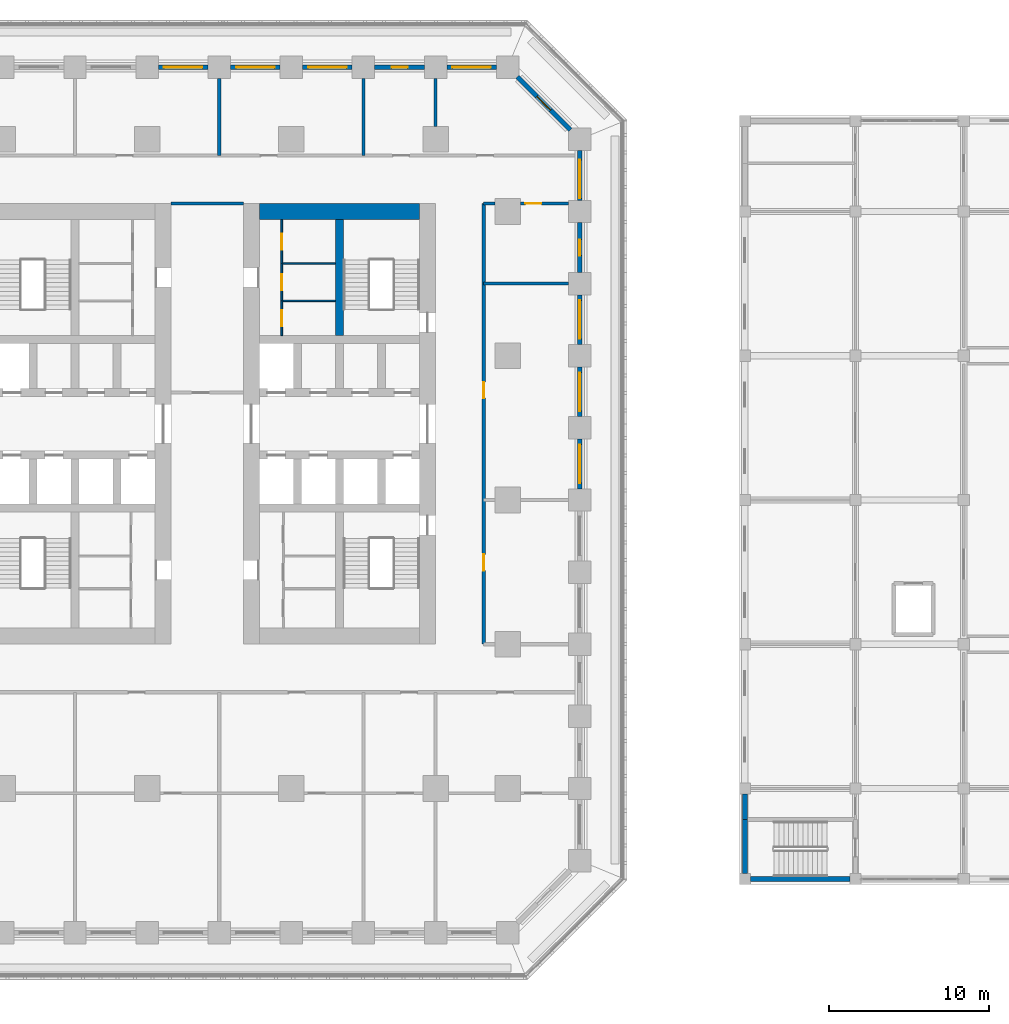
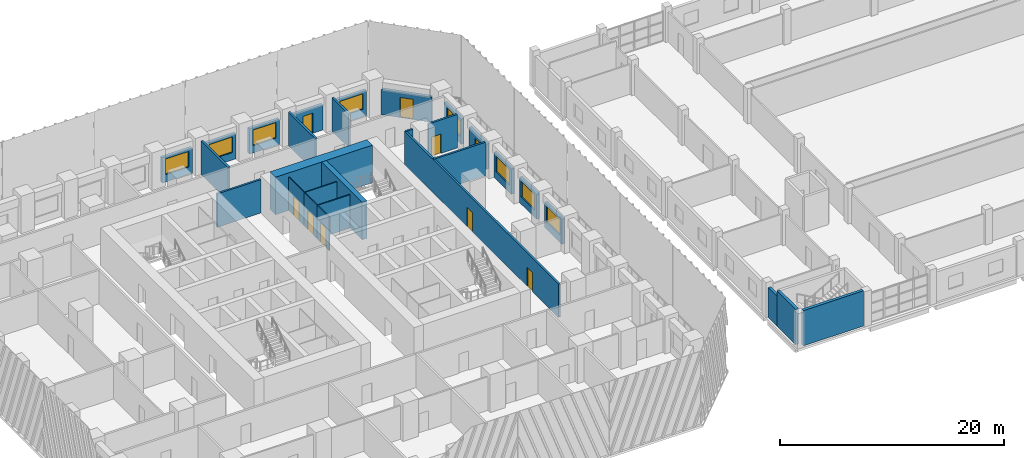
# One storey, part 16 of 31: 29 walls, 9 doors, 8 windows, 17 openings.
"""IFC4 building model written with IfcOpenShell, lengths in metres."""

from ifc_helpers import new_model, si_unit, direction, frame, frame_2d, origin, place, context, subcontext, project, spatial, rectangle, extrude, material, layer, layer_set, type_object, element, fill, save


model = new_model("IFC4")

# Units and contexts
model_context = context("Model", 3, precision=1e-05, world=origin(), true_north=direction((0.0, 1.0)))
body_context = subcontext(model_context, "Body", "Model", "MODEL_VIEW")
ifc_project = project(units=[si_unit("LENGTHUNIT", "METRE"), si_unit("AREAUNIT", "SQUARE_METRE"), si_unit("VOLUMEUNIT", "CUBIC_METRE"), si_unit("PLANEANGLEUNIT", "RADIAN"), si_unit("MASSUNIT", "GRAM", prefix="KILO")], contexts=[model_context])

# Site, building, storey
site_placement = place(None, origin())
site = spatial("IfcSite", under=ifc_project, at=site_placement, CompositionType="ELEMENT")
building_placement = place(site_placement, origin())
building = spatial("IfcBuilding", under=site, at=building_placement, Name="Corbel Stack Research Tower", CompositionType="ELEMENT")
storey_placement = place(building_placement, frame((0.0, 0.0, 15.39990234375)))
storey = spatial("IfcBuildingStorey", under=building, at=storey_placement, Name="L03", CompositionType="ELEMENT", Elevation=15.39990234375)

# Walls
ifc_material_1 = material(Name="Concrete C70/85", Category="concrete")
ifc_layer_1 = layer(ifc_material_1, 1.0)
ifc_layer_set_1 = layer_set([ifc_layer_1], Name="Concrete C70/85")
wall_type_1 = type_object("IfcWallType", Name="CW-1000-70", PredefinedType="SHEAR", material=ifc_layer_set_1)
wall_1_placement = place(storey_placement, frame((7.0, 18.0, 0.0), z_axis=(0.0, 0.0, 1.0), x_axis=(1.0, 0.0, 0.0)))
element("IfcWall", 1, at=wall_1_placement, inside=storey, type_object=wall_type_1, Name="East core wall, north end L03", PredefinedType="SHEAR", context=body_context, shape_type="SweptSolid", body=[
    extrude(rectangle(XDim=10.0, YDim=1.0, at=frame_2d((5.0, 0.0))), origin(), (0.0, 0.0, 1.0), 4.10009765625),
])
ifc_material_2 = material(Name="Concrete C70/85", Category="concrete")
ifc_layer_2 = layer(ifc_material_2, 0.5)
ifc_layer_set_2 = layer_set([ifc_layer_2], Name="Concrete C70/85")
wall_type_2 = type_object("IfcWallType", Name="CW-500-70", PredefinedType="SHEAR", material=ifc_layer_set_2)
wall_2_placement = place(storey_placement, frame((12.0, 10.25, 0.0), z_axis=(0.0, 0.0, 1.0), x_axis=(0.0, 1.0, 0.0)))
element("IfcWall", 2, at=wall_2_placement, inside=storey, type_object=wall_type_2, Name="East core wall, north stair and riser L03", PredefinedType="SHEAR", context=body_context, shape_type="SweptSolid", body=[
    extrude(rectangle(XDim=7.25, YDim=0.5, at=frame_2d((3.625, 0.0))), origin(), (0.0, 0.0, 1.0), 4.10009765625),
])

# Wall, opening, door
ifc_material_3 = material(Name="Gypsum board")
ifc_layer_3 = layer(ifc_material_3, 0.10009765625)
ifc_layer_set_3 = layer_set([ifc_layer_3], Name="Gypsum board")
wall_type_3 = type_object("IfcWallType", Name="Core partition 100", PredefinedType="PARTITIONING", material=ifc_layer_set_3)
wall_3_placement = place(storey_placement, frame((8.39990234375, 10.25, 0.0), z_axis=(0.0, 0.0, 1.0), x_axis=(0.0, 1.0, 0.0)))
wall_3 = element("IfcWall", 3, at=wall_3_placement, inside=storey, type_object=wall_type_3, Name="Core partition E", PredefinedType="PARTITIONING", context=body_context, shape_type="SweptSolid", body=[
    extrude(rectangle(XDim=2.175048828125, YDim=0.10009765625, at=frame_2d((1.08740234375, 0.0))), origin(), (0.0, 0.0, 1.0), 3.650146484375),
])
opening_1_placement = place(wall_3_placement, frame((0.58740234375, 0.0, 0.0)))
opening_1 = element("IfcOpeningElement", 4, at=opening_1_placement, cuts=wall_3, Name="Opening CR-E12-R2-1000", PredefinedType="OPENING", context=body_context, shape_type="SweptSolid", body=[
    extrude(rectangle(XDim=1.0, YDim=2.10009765625, at=frame_2d((0.5, 1.050048828125))), frame((0.0, 0.06005859375, 0.0), z_axis=(0.0, -1.0, 0.0), x_axis=(1.0, 0.0, 0.0)), (0.0, 0.0, 1.0), 0.1201171875),
])
ifc_material_4 = material(Name="Painted steel door", Category="steel")
door_type_1 = type_object("IfcDoorType", Name="Riser door 1000 x 2100 FD60 left hand", OperationType="SINGLE_SWING_LEFT", PredefinedType="DOOR", material=ifc_material_4)
door_1_placement = place(opening_1_placement, origin())
door_1 = element("IfcDoor", 5, at=door_1_placement, inside=storey, type_object=door_type_1, Name="Mechanical riser door E core", OperationType="SINGLE_SWING_LEFT", OverallHeight=2.10009765625, OverallWidth=1.0, PredefinedType="DOOR", context=body_context, shape_type="SweptSolid", body=[
    extrude(rectangle(XDim=1.0, YDim=2.10009765625, at=frame_2d((0.5, 1.050048828125))), frame((0.0, 0.02490234375, 0.0), z_axis=(0.0, -1.0, 0.0), x_axis=(1.0, 0.0, 0.0)), (0.0, 0.0, 1.0), 0.050048828125),
])
fill(opening_1, door_1)

wall_4_placement = place(storey_placement, frame((8.39990234375, 12.425048828125, 0.0), z_axis=(0.0, 0.0, 1.0), x_axis=(0.0, 1.0, 0.0)))
wall_4 = element("IfcWall", 6, at=wall_4_placement, inside=storey, type_object=wall_type_3, Name="Core partition E", PredefinedType="PARTITIONING", context=body_context, shape_type="SweptSolid", body=[
    extrude(rectangle(XDim=2.320068359375, YDim=0.10009765625, at=frame_2d((1.16015625, 0.0))), origin(), (0.0, 0.0, 1.0), 3.650146484375),
])
opening_2_placement = place(wall_4_placement, frame((0.659912109375, 0.0, 0.0)))
opening_2 = element("IfcOpeningElement", 7, at=opening_2_placement, cuts=wall_4, Name="Opening CR-E12-R3-1000", PredefinedType="OPENING", context=body_context, shape_type="SweptSolid", body=[
    extrude(rectangle(XDim=1.0, YDim=2.10009765625, at=frame_2d((0.5, 1.050048828125))), frame((0.0, 0.06005859375, 0.0), z_axis=(0.0, -1.0, 0.0), x_axis=(1.0, 0.0, 0.0)), (0.0, 0.0, 1.0), 0.1201171875),
])
ifc_material_5 = material(Name="Painted steel door", Category="steel")
door_type_2 = type_object("IfcDoorType", Name="Service door 1000 x 2100 FD30 right hand", OperationType="SINGLE_SWING_RIGHT", PredefinedType="DOOR", material=ifc_material_5)
door_2_placement = place(opening_2_placement, origin())
door_2 = element("IfcDoor", 8, at=door_2_placement, inside=storey, type_object=door_type_2, Name="Pantry door E core", OperationType="SINGLE_SWING_RIGHT", OverallHeight=2.10009765625, OverallWidth=1.0, PredefinedType="DOOR", context=body_context, shape_type="SweptSolid", body=[
    extrude(rectangle(XDim=1.0, YDim=2.10009765625, at=frame_2d((0.5, 1.050048828125))), frame((0.0, 0.02490234375, 0.0), z_axis=(0.0, -1.0, 0.0), x_axis=(1.0, 0.0, 0.0)), (0.0, 0.0, 1.0), 0.050048828125),
])
fill(opening_2, door_2)

wall_5_placement = place(storey_placement, frame((8.39990234375, 14.7451171875, 0.0), z_axis=(0.0, 0.0, 1.0), x_axis=(0.0, 1.0, 0.0)))
wall_5 = element("IfcWall", 9, at=wall_5_placement, inside=storey, type_object=wall_type_3, Name="Core partition E", PredefinedType="PARTITIONING", context=body_context, shape_type="SweptSolid", body=[
    extrude(rectangle(XDim=2.7548828125, YDim=0.10009765625, at=frame_2d((1.37744140625, 0.0))), origin(), (0.0, 0.0, 1.0), 3.650146484375),
])
opening_3_placement = place(wall_5_placement, frame((0.87744140625, 0.0, 0.0)))
opening_3 = element("IfcOpeningElement", 10, at=opening_3_placement, cuts=wall_5, Name="Opening CR-E12-R4-1000", PredefinedType="OPENING", context=body_context, shape_type="SweptSolid", body=[
    extrude(rectangle(XDim=1.0, YDim=2.10009765625, at=frame_2d((0.5, 1.050048828125))), frame((0.0, 0.06005859375, 0.0), z_axis=(0.0, -1.0, 0.0), x_axis=(1.0, 0.0, 0.0)), (0.0, 0.0, 1.0), 0.1201171875),
])
door_3_placement = place(opening_3_placement, origin())
door_3 = element("IfcDoor", 11, at=door_3_placement, inside=storey, type_object=door_type_1, Name="Electrical riser door E core", OperationType="SINGLE_SWING_LEFT", OverallHeight=2.10009765625, OverallWidth=1.0, PredefinedType="DOOR", context=body_context, shape_type="SweptSolid", body=[
    extrude(rectangle(XDim=1.0, YDim=2.10009765625, at=frame_2d((0.5, 1.050048828125))), frame((0.0, 0.02490234375, 0.0), z_axis=(0.0, -1.0, 0.0), x_axis=(1.0, 0.0, 0.0)), (0.0, 0.0, 1.0), 0.050048828125),
])
fill(opening_3, door_3)

# Walls
for number, where, z_axis, x_axis, name in (
    (12, (8.39990234375, 12.425048828125, 0.0), (0.0, 0.0, 1.0), (1.0, 0.0, 0.0), "Core partition E"),
    (13, (8.39990234375, 14.7451171875, 0.0), (0.0, 0.0, 1.0), (1.0, 0.0, 0.0), "Core partition E"),
):
    element("IfcWall", number, at=place(storey_placement, frame(where, z_axis=z_axis, x_axis=x_axis)), inside=storey, type_object=wall_type_3, Name=name, PredefinedType="PARTITIONING", context=body_context, shape_type="SweptSolid", body=[
        extrude(rectangle(XDim=3.35009765625, YDim=0.10009765625, at=frame_2d((1.675048828125, 0.0))), origin(), (0.0, 0.0, 1.0), 3.650146484375),
    ])
ifc_material_6 = material(Name="Fire-rated gypsum board partition on steel studs", Category="steel")
ifc_layer_4 = layer(ifc_material_6, 0.199951171875)
ifc_layer_set_4 = layer_set([ifc_layer_4], Name="Fire-rated gypsum board partition on steel studs")
wall_type_4 = type_object("IfcWallType", Name="Fire-rated partition 200 EI 60", PredefinedType="PARTITIONING", material=ifc_layer_set_4)
for number, where, z_axis, x_axis, name in (
    (14, (4.5, 21.5, 0.0), (0.0, 0.0, 1.0), (0.0, 1.0, 0.0), "Partition L03-009"),
    (15, (13.5, 21.5, 0.0), (0.0, 0.0, 1.0), (0.0, 1.0, 0.0), "Partition L03-011"),
):
    element("IfcWall", number, at=place(storey_placement, frame(where, z_axis=z_axis, x_axis=x_axis)), inside=storey, type_object=wall_type_4, Name=name, PredefinedType="PARTITIONING", context=body_context, shape_type="SweptSolid", body=[
        extrude(rectangle(XDim=4.800048828125, YDim=0.199951171875, at=frame_2d((2.39990234375, 0.0))), origin(), (0.0, 0.0, 1.0), 3.650146484375),
    ])
wall_6_placement = place(storey_placement, frame((18.0, 23.300048828125, 0.0), z_axis=(0.0, 0.0, 1.0), x_axis=(0.0, 1.0, 0.0)))
element("IfcWall", 16, at=wall_6_placement, inside=storey, type_object=wall_type_4, Name="Partition L03-014", PredefinedType="PARTITIONING", context=body_context, shape_type="SweptSolid", body=[
    extrude(rectangle(XDim=3.0, YDim=0.199951171875, at=frame_2d((1.5, 0.0))), origin(), (0.0, 0.0, 1.0), 3.650146484375),
])

# Wall, openings, doors
wall_7_placement = place(storey_placement, frame((21.0, 18.5, 0.0), z_axis=(0.0, 0.0, 1.0), x_axis=(0.0, -1.0, 0.0)))
wall_7 = element("IfcWall", 17, at=wall_7_placement, inside=storey, type_object=wall_type_4, Name="Partition L03-015", PredefinedType="PARTITIONING", context=body_context, shape_type="SweptSolid", body=[
    extrude(rectangle(XDim=27.5, YDim=0.199951171875, at=frame_2d((13.75, 0.0))), origin(), (0.0, 0.0, 1.0), 3.650146484375),
])
opening_4_placement = place(wall_7_placement, frame((21.89990234375, 0.0, 0.0)))
opening_4 = element("IfcOpeningElement", 18, at=opening_4_placement, cuts=wall_7, Name="Opening B1V0-021", PredefinedType="OPENING", context=body_context, shape_type="SweptSolid", body=[
    extrude(rectangle(XDim=1.0, YDim=2.10009765625, at=frame_2d((0.5, 1.050048828125))), frame((0.0, 0.10986328125, 0.0), z_axis=(0.0, -1.0, 0.0), x_axis=(1.0, 0.0, 0.0)), (0.0, 0.0, 1.0), 0.219970703125),
])
opening_5_placement = place(wall_7_placement, frame((11.14990234375, 0.0, 0.0)))
opening_5 = element("IfcOpeningElement", 19, at=opening_5_placement, cuts=wall_7, Name="Opening B1V0-022", PredefinedType="OPENING", context=body_context, shape_type="SweptSolid", body=[
    extrude(rectangle(XDim=1.0, YDim=2.10009765625, at=frame_2d((0.5, 1.050048828125))), frame((0.0, 0.10986328125, 0.0), z_axis=(0.0, -1.0, 0.0), x_axis=(1.0, 0.0, 0.0)), (0.0, 0.0, 1.0), 0.219970703125),
])
ifc_material_7 = material(Name="Painted steel fire door", Category="steel")
door_type_3 = type_object("IfcDoorType", Name="Fire door FD30S 1000 x 2100", OperationType="NOTDEFINED", PredefinedType="DOOR", material=ifc_material_7)
door_4_placement = place(opening_4_placement, origin())
door_4 = element("IfcDoor", 20, at=door_4_placement, inside=storey, type_object=door_type_3, Name="Door B1V0-021", OperationType="SINGLE_SWING_RIGHT", OverallHeight=2.10009765625, OverallWidth=1.0, PredefinedType="DOOR", context=body_context, shape_type="SweptSolid", body=[
    extrude(rectangle(XDim=1.0, YDim=2.10009765625, at=frame_2d((0.5, 1.050048828125))), frame((0.0, 0.02490234375, 0.0), z_axis=(0.0, -1.0, 0.0), x_axis=(1.0, 0.0, 0.0)), (0.0, 0.0, 1.0), 0.050048828125),
])
fill(opening_4, door_4)
door_5_placement = place(opening_5_placement, origin())
door_5 = element("IfcDoor", 21, at=door_5_placement, inside=storey, type_object=door_type_3, Name="Door B1V0-022", OperationType="SINGLE_SWING_LEFT", OverallHeight=2.10009765625, OverallWidth=1.0, PredefinedType="DOOR", context=body_context, shape_type="SweptSolid", body=[
    extrude(rectangle(XDim=1.0, YDim=2.10009765625, at=frame_2d((0.5, 1.050048828125))), frame((0.0, 0.02490234375, 0.0), z_axis=(0.0, -1.0, 0.0), x_axis=(1.0, 0.0, 0.0)), (0.0, 0.0, 1.0), 0.050048828125),
])
fill(opening_5, door_5)

# Walls
wall_8_placement = place(storey_placement, frame((21.0, 13.5, 0.0), z_axis=(0.0, 0.0, 1.0), x_axis=(1.0, 0.0, 0.0)))
element("IfcWall", 22, at=wall_8_placement, inside=storey, type_object=wall_type_4, Name="Partition L03-034", PredefinedType="PARTITIONING", context=body_context, shape_type="SweptSolid", body=[
    extrude(rectangle(XDim=5.300048828125, YDim=0.199951171875, at=frame_2d((2.64990234375, 0.0))), origin(), (0.0, 0.0, 1.0), 3.650146484375),
])
wall_9_placement = place(storey_placement, frame((1.5, 18.5, 0.0), z_axis=(0.0, 0.0, 1.0), x_axis=(1.0, 0.0, 0.0)))
element("IfcWall", 23, at=wall_9_placement, inside=storey, type_object=wall_type_4, Name="Partition L03-037", PredefinedType="PARTITIONING", context=body_context, shape_type="SweptSolid", body=[
    extrude(rectangle(XDim=4.5, YDim=0.199951171875, at=frame_2d((2.25, 0.0))), origin(), (0.0, 0.0, 1.0), 3.650146484375),
])
wall_10_placement = place(storey_placement, frame((21.0, 18.5, 0.0), z_axis=(0.0, 0.0, 1.0), x_axis=(1.0, 0.0, 0.0)))
element("IfcWall", 24, at=wall_10_placement, inside=storey, type_object=wall_type_4, Name="Partition L03-038", PredefinedType="PARTITIONING", context=body_context, shape_type="SweptSolid", body=[
    extrude(rectangle(XDim=0.699951171875, YDim=0.199951171875, at=frame_2d((0.35009765625, 0.0))), origin(), (0.0, 0.0, 1.0), 3.650146484375),
])

# Wall, opening, door
wall_11_placement = place(storey_placement, frame((26.300048828125, 18.5, 0.0), z_axis=(0.0, 0.0, 1.0), x_axis=(-1.0, 0.0, 0.0)))
wall_11 = element("IfcWall", 25, at=wall_11_placement, inside=storey, type_object=wall_type_4, Name="Partition L03-039", PredefinedType="PARTITIONING", context=body_context, shape_type="SweptSolid", body=[
    extrude(rectangle(XDim=3.0, YDim=0.199951171875, at=frame_2d((1.5, 0.0))), origin(), (0.0, 0.0, 1.0), 3.650146484375),
])
opening_6_placement = place(wall_11_placement, frame((1.699951171875, 0.0, 0.0)))
opening_6 = element("IfcOpeningElement", 26, at=opening_6_placement, cuts=wall_11, Name="Opening B1V0-020", PredefinedType="OPENING", context=body_context, shape_type="SweptSolid", body=[
    extrude(rectangle(XDim=1.0, YDim=2.10009765625, at=frame_2d((0.5, 1.050048828125))), frame((0.0, 0.10986328125, 0.0), z_axis=(0.0, -1.0, 0.0), x_axis=(1.0, 0.0, 0.0)), (0.0, 0.0, 1.0), 0.219970703125),
])
door_6_placement = place(opening_6_placement, origin())
door_6 = element("IfcDoor", 27, at=door_6_placement, inside=storey, type_object=door_type_3, Name="Door B1V0-020", OperationType="SINGLE_SWING_RIGHT", OverallHeight=2.10009765625, OverallWidth=1.0, PredefinedType="DOOR", context=body_context, shape_type="SweptSolid", body=[
    extrude(rectangle(XDim=1.0, YDim=2.10009765625, at=frame_2d((0.5, 1.050048828125))), frame((0.0, 0.02490234375, 0.0), z_axis=(0.0, -1.0, 0.0), x_axis=(1.0, 0.0, 0.0)), (0.0, 0.0, 1.0), 0.050048828125),
])
fill(opening_6, door_6)

# Walls
ifc_material_8 = material(Name="Concrete C40/50", Category="concrete")
ifc_layer_5 = layer(ifc_material_8, 0.300048828125)
ifc_layer_set_5 = layer_set([ifc_layer_5], Name="Concrete C40/50")
wall_type_5 = type_object("IfcWallType", Name="HW1 exterior wall 300", PredefinedType="SOLIDWALL", material=ifc_layer_set_5)
wall_12_placement = place(storey_placement, frame((37.300048828125, -19.925048828125, 0.0), z_axis=(0.0, 0.0, 1.0), x_axis=(0.0, 1.0, 0.0)))
element("IfcWall", 28, at=wall_12_placement, inside=storey, type_object=wall_type_5, Name="Exterior wall L03 v37.30/-19.9", PredefinedType="SOLIDWALL", context=body_context, shape_type="SweptSolid", body=[
    extrude(rectangle(XDim=1.574951171875, YDim=0.300048828125, at=frame_2d((0.78759765625, 0.0))), origin(), (0.0, 0.0, 1.0), 3.25),
])
ifc_material_9 = material(Name="Concrete C40/50", Category="concrete")
ifc_layer_6 = layer(ifc_material_9, 0.300048828125)
ifc_layer_set_6 = layer_set([ifc_layer_6], Name="Concrete C40/50")
wall_type_6 = type_object("IfcWallType", Name="HW6 exterior wall C40/50 300", PredefinedType="SHEAR", material=ifc_layer_set_6)
wall_13_placement = place(storey_placement, frame((37.64990234375, -23.64990234375, 0.0), z_axis=(0.0, 0.0, 1.0), x_axis=(1.0, 0.0, 0.0)))
element("IfcWall", 29, at=wall_13_placement, inside=storey, type_object=wall_type_6, Name="Exterior wall L03 h-23.65/37.6", PredefinedType="SHEAR", context=body_context, shape_type="SweptSolid", body=[
    extrude(rectangle(XDim=6.2001953125, YDim=0.300048828125, at=frame_2d((3.10009765625, 0.0))), origin(), (0.0, 0.0, 1.0), 3.85009765625),
])
wall_14_placement = place(storey_placement, frame((37.300048828125, -23.300048828125, 0.0), z_axis=(0.0, 0.0, 1.0), x_axis=(0.0, 1.0, 0.0)))
element("IfcWall", 30, at=wall_14_placement, inside=storey, type_object=wall_type_6, Name="Exterior wall L03 v37.30/-23.3", PredefinedType="SHEAR", context=body_context, shape_type="SweptSolid", body=[
    extrude(rectangle(XDim=3.375, YDim=0.300048828125, at=frame_2d((1.6875, 0.0))), origin(), (0.0, 0.0, 1.0), 3.85009765625),
])

# Wall, opening, window
ifc_material_10 = material(Name="Concrete C45/55", Category="concrete")
ifc_layer_7 = layer(ifc_material_10, 0.300048828125)
ifc_layer_set_7 = layer_set([ifc_layer_7], Name="Concrete C45/55")
wall_type_7 = type_object("IfcWallType", Name="Terracotta-faced concrete wall 300", PredefinedType="SOLIDWALL", material=ifc_layer_set_7)
wall_15_placement = place(storey_placement, frame((27.0, 3.800048828125, 0.0), z_axis=(0.0, 0.0, 1.0), x_axis=(0.0, -1.0, 0.0)))
wall_15 = element("IfcWall", 31, at=wall_15_placement, inside=storey, type_object=wall_type_7, Name="Facade wall L03 E06", PredefinedType="SOLIDWALL", context=body_context, shape_type="SweptSolid", body=[
    extrude(rectangle(XDim=3.10009765625, YDim=0.300048828125, at=frame_2d((1.550048828125, 0.0))), origin(), (0.0, 0.0, 1.0), 2.75),
])
opening_7_placement = place(wall_15_placement, frame((0.35009765625, 0.0, 0.800048828125)))
opening_7 = element("IfcOpeningElement", 32, at=opening_7_placement, cuts=wall_15, Name="Opening W1", PredefinedType="OPENING", context=body_context, shape_type="SweptSolid", body=[
    extrude(rectangle(XDim=2.39990234375, YDim=1.699951171875, at=frame_2d((1.199951171875, 0.85009765625))), frame((0.0, 0.159912109375, 0.0), z_axis=(0.0, -1.0, 0.0), x_axis=(1.0, 0.0, 0.0)), (0.0, 0.0, 1.0), 0.320068359375),
])
ifc_material_11 = material(Name="Aluminium frame, clear double glazing", Category="aluminium")
window_type = type_object("IfcWindowType", Name="Window W1 2400 x 1700", PartitioningType="SINGLE_PANEL", PredefinedType="WINDOW", material=ifc_material_11)
window_1_placement = place(opening_7_placement, origin())
window_1 = element("IfcWindow", 33, at=window_1_placement, inside=storey, type_object=window_type, Name="Window W1 L03 E06", OverallHeight=1.699951171875, OverallWidth=2.39990234375, PartitioningType="SINGLE_PANEL", PredefinedType="WINDOW", context=body_context, shape_type="SweptSolid", body=[
    extrude(rectangle(XDim=2.39990234375, YDim=1.699951171875, at=frame_2d((1.199951171875, 0.85009765625))), frame((0.0, 0.030029296875, 0.0), z_axis=(0.0, -1.0, 0.0), x_axis=(1.0, 0.0, 0.0)), (0.0, 0.0, 1.0), 0.06005859375),
])
fill(opening_7, window_1)

wall_16_placement = place(storey_placement, frame((27.0, 8.300048828125, 0.0), z_axis=(0.0, 0.0, 1.0), x_axis=(0.0, -1.0, 0.0)))
wall_16 = element("IfcWall", 34, at=wall_16_placement, inside=storey, type_object=wall_type_7, Name="Facade wall L03 E07", PredefinedType="SOLIDWALL", context=body_context, shape_type="SweptSolid", body=[
    extrude(rectangle(XDim=3.10009765625, YDim=0.300048828125, at=frame_2d((1.550048828125, 0.0))), origin(), (0.0, 0.0, 1.0), 2.75),
])
opening_8_placement = place(wall_16_placement, frame((0.35009765625, 0.0, 0.800048828125)))
opening_8 = element("IfcOpeningElement", 35, at=opening_8_placement, cuts=wall_16, Name="Opening W1", PredefinedType="OPENING", context=body_context, shape_type="SweptSolid", body=[
    extrude(rectangle(XDim=2.39990234375, YDim=1.699951171875, at=frame_2d((1.199951171875, 0.85009765625))), frame((0.0, 0.159912109375, 0.0), z_axis=(0.0, -1.0, 0.0), x_axis=(1.0, 0.0, 0.0)), (0.0, 0.0, 1.0), 0.320068359375),
])
window_2_placement = place(opening_8_placement, origin())
window_2 = element("IfcWindow", 36, at=window_2_placement, inside=storey, type_object=window_type, Name="Window W1 L03 E07", OverallHeight=1.699951171875, OverallWidth=2.39990234375, PartitioningType="SINGLE_PANEL", PredefinedType="WINDOW", context=body_context, shape_type="SweptSolid", body=[
    extrude(rectangle(XDim=2.39990234375, YDim=1.699951171875, at=frame_2d((1.199951171875, 0.85009765625))), frame((0.0, 0.030029296875, 0.0), z_axis=(0.0, -1.0, 0.0), x_axis=(1.0, 0.0, 0.0)), (0.0, 0.0, 1.0), 0.06005859375),
])
fill(opening_8, window_2)

wall_17_placement = place(storey_placement, frame((27.0, 12.800048828125, 0.0), z_axis=(0.0, 0.0, 1.0), x_axis=(0.0, -1.0, 0.0)))
wall_17 = element("IfcWall", 37, at=wall_17_placement, inside=storey, type_object=wall_type_7, Name="Facade wall L03 E08", PredefinedType="SOLIDWALL", context=body_context, shape_type="SweptSolid", body=[
    extrude(rectangle(XDim=3.10009765625, YDim=0.300048828125, at=frame_2d((1.550048828125, 0.0))), origin(), (0.0, 0.0, 1.0), 2.75),
])
opening_9_placement = place(wall_17_placement, frame((0.35009765625, 0.0, 0.800048828125)))
opening_9 = element("IfcOpeningElement", 38, at=opening_9_placement, cuts=wall_17, Name="Opening W1", PredefinedType="OPENING", context=body_context, shape_type="SweptSolid", body=[
    extrude(rectangle(XDim=2.39990234375, YDim=1.699951171875, at=frame_2d((1.199951171875, 0.85009765625))), frame((0.0, 0.159912109375, 0.0), z_axis=(0.0, -1.0, 0.0), x_axis=(1.0, 0.0, 0.0)), (0.0, 0.0, 1.0), 0.320068359375),
])
window_3_placement = place(opening_9_placement, origin())
window_3 = element("IfcWindow", 39, at=window_3_placement, inside=storey, type_object=window_type, Name="Window W1 L03 E08", OverallHeight=1.699951171875, OverallWidth=2.39990234375, PartitioningType="SINGLE_PANEL", PredefinedType="WINDOW", context=body_context, shape_type="SweptSolid", body=[
    extrude(rectangle(XDim=2.39990234375, YDim=1.699951171875, at=frame_2d((1.199951171875, 0.85009765625))), frame((0.0, 0.030029296875, 0.0), z_axis=(0.0, -1.0, 0.0), x_axis=(1.0, 0.0, 0.0)), (0.0, 0.0, 1.0), 0.06005859375),
])
fill(opening_9, window_3)

# Wall, opening, door
wall_18_placement = place(storey_placement, frame((27.0, 17.300048828125, 0.0), z_axis=(0.0, 0.0, 1.0), x_axis=(0.0, -1.0, 0.0)))
wall_18 = element("IfcWall", 40, at=wall_18_placement, inside=storey, type_object=wall_type_7, Name="Facade wall L03 E09", PredefinedType="SOLIDWALL", context=body_context, shape_type="SweptSolid", body=[
    extrude(rectangle(XDim=3.10009765625, YDim=0.300048828125, at=frame_2d((1.550048828125, 0.0))), origin(), (0.0, 0.0, 1.0), 2.75),
])
opening_10_placement = place(wall_18_placement, frame((1.050048828125, 0.0, 0.0)))
opening_10 = element("IfcOpeningElement", 41, at=opening_10_placement, cuts=wall_18, Name="Opening L03-B05", PredefinedType="OPENING", context=body_context, shape_type="SweptSolid", body=[
    extrude(rectangle(XDim=1.0, YDim=2.199951171875, at=frame_2d((0.5, 1.10009765625))), frame((0.0, 0.159912109375, 0.0), z_axis=(0.0, -1.0, 0.0), x_axis=(1.0, 0.0, 0.0)), (0.0, 0.0, 1.0), 0.320068359375),
])
ifc_material_12 = material(Name="Aluminium frame, clear double glazing", Category="aluminium")
door_type_4 = type_object("IfcDoorType", Name="Balcony door BD1 1000 x 2200", OperationType="NOTDEFINED", PredefinedType="DOOR", material=ifc_material_12)
door_7_placement = place(opening_10_placement, origin())
door_7 = element("IfcDoor", 42, at=door_7_placement, inside=storey, type_object=door_type_4, Name="Balcony door L03-B05", OperationType="SINGLE_SWING_RIGHT", OverallHeight=2.199951171875, OverallWidth=1.0, PredefinedType="DOOR", context=body_context, shape_type="SweptSolid", body=[
    extrude(rectangle(XDim=1.0, YDim=2.199951171875, at=frame_2d((0.5, 1.10009765625))), frame((0.0, 0.02490234375, 0.0), z_axis=(0.0, -1.0, 0.0), x_axis=(1.0, 0.0, 0.0)), (0.0, 0.0, 1.0), 0.050048828125),
])
fill(opening_10, door_7)

# Wall, opening, window
wall_19_placement = place(storey_placement, frame((27.0, 21.800048828125, 0.0), z_axis=(0.0, 0.0, 1.0), x_axis=(0.0, -1.0, 0.0)))
wall_19 = element("IfcWall", 43, at=wall_19_placement, inside=storey, type_object=wall_type_7, Name="Facade wall L03 E10", PredefinedType="SOLIDWALL", context=body_context, shape_type="SweptSolid", body=[
    extrude(rectangle(XDim=3.10009765625, YDim=0.300048828125, at=frame_2d((1.550048828125, 0.0))), origin(), (0.0, 0.0, 1.0), 2.75),
])
opening_11_placement = place(wall_19_placement, frame((0.574951171875, 0.0, 0.800048828125)))
opening_11 = element("IfcOpeningElement", 44, at=opening_11_placement, cuts=wall_19, Name="Opening W1", PredefinedType="OPENING", context=body_context, shape_type="SweptSolid", body=[
    extrude(rectangle(XDim=2.39990234375, YDim=1.699951171875, at=frame_2d((1.199951171875, 0.85009765625))), frame((0.0, 0.159912109375, 0.0), z_axis=(0.0, -1.0, 0.0), x_axis=(1.0, 0.0, 0.0)), (0.0, 0.0, 1.0), 0.320068359375),
])
window_4_placement = place(opening_11_placement, origin())
window_4 = element("IfcWindow", 45, at=window_4_placement, inside=storey, type_object=window_type, Name="Window W1 L03 E10", OverallHeight=1.699951171875, OverallWidth=2.39990234375, PartitioningType="SINGLE_PANEL", PredefinedType="WINDOW", context=body_context, shape_type="SweptSolid", body=[
    extrude(rectangle(XDim=2.39990234375, YDim=1.699951171875, at=frame_2d((1.199951171875, 0.85009765625))), frame((0.0, 0.030029296875, 0.0), z_axis=(0.0, -1.0, 0.0), x_axis=(1.0, 0.0, 0.0)), (0.0, 0.0, 1.0), 0.06005859375),
])
fill(opening_11, window_4)

# Wall, opening, door
wall_20_placement = place(storey_placement, frame((23.093994140625, 26.406005859375, 0.0), z_axis=(0.0, 0.0, 1.0), x_axis=(0.707106781187, -0.707106781187, 0.0)))
wall_20 = element("IfcWall", 46, at=wall_20_placement, inside=storey, type_object=wall_type_7, Name="Facade wall L03 NE01", PredefinedType="SOLIDWALL", context=body_context, shape_type="SweptSolid", body=[
    extrude(rectangle(XDim=4.683837890625, YDim=0.300048828125, at=frame_2d((2.341796875, 0.0))), origin(), (0.0, 0.0, 1.0), 2.75),
])
opening_12_placement = place(wall_20_placement, frame((1.741943359375, 0.0, 0.0)))
opening_12 = element("IfcOpeningElement", 47, at=opening_12_placement, cuts=wall_20, Name="Opening L03-B06", PredefinedType="OPENING", context=body_context, shape_type="SweptSolid", body=[
    extrude(rectangle(XDim=1.199951171875, YDim=2.199951171875, at=frame_2d((0.60009765625, 1.10009765625))), frame((0.0, 0.159912109375, 0.0), z_axis=(0.0, -1.0, 0.0), x_axis=(1.0, 0.0, 0.0)), (0.0, 0.0, 1.0), 0.320068359375),
])
ifc_material_13 = material(Name="Aluminium frame, clear double glazing", Category="aluminium")
door_type_5 = type_object("IfcDoorType", Name="Balcony door BD2 1200 x 2200", OperationType="NOTDEFINED", PredefinedType="DOOR", material=ifc_material_13)
door_8_placement = place(opening_12_placement, origin())
door_8 = element("IfcDoor", 48, at=door_8_placement, inside=storey, type_object=door_type_5, Name="Balcony door L03-B06", OperationType="SINGLE_SWING_RIGHT", OverallHeight=2.199951171875, OverallWidth=1.199951171875, PredefinedType="DOOR", context=body_context, shape_type="SweptSolid", body=[
    extrude(rectangle(XDim=1.199951171875, YDim=2.199951171875, at=frame_2d((0.60009765625, 1.10009765625))), frame((0.0, 0.02490234375, 0.0), z_axis=(0.0, -1.0, 0.0), x_axis=(1.0, 0.0, 0.0)), (0.0, 0.0, 1.0), 0.050048828125),
])
fill(opening_12, door_8)

# Wall, opening, window
wall_21_placement = place(storey_placement, frame((18.699951171875, 27.0, 0.0), z_axis=(0.0, 0.0, 1.0), x_axis=(1.0, 0.0, 0.0)))
wall_21 = element("IfcWall", 49, at=wall_21_placement, inside=storey, type_object=wall_type_7, Name="Facade wall L03 N01", PredefinedType="SOLIDWALL", context=body_context, shape_type="SweptSolid", body=[
    extrude(rectangle(XDim=3.10009765625, YDim=0.300048828125, at=frame_2d((1.550048828125, 0.0))), origin(), (0.0, 0.0, 1.0), 2.75),
])
opening_13_placement = place(wall_21_placement, frame((0.35009765625, 0.0, 0.800048828125)))
opening_13 = element("IfcOpeningElement", 50, at=opening_13_placement, cuts=wall_21, Name="Opening W1", PredefinedType="OPENING", context=body_context, shape_type="SweptSolid", body=[
    extrude(rectangle(XDim=2.39990234375, YDim=1.699951171875, at=frame_2d((1.199951171875, 0.85009765625))), frame((0.0, 0.159912109375, 0.0), z_axis=(0.0, -1.0, 0.0), x_axis=(1.0, 0.0, 0.0)), (0.0, 0.0, 1.0), 0.320068359375),
])
window_5_placement = place(opening_13_placement, origin())
window_5 = element("IfcWindow", 51, at=window_5_placement, inside=storey, type_object=window_type, Name="Window W1 L03 N01", OverallHeight=1.699951171875, OverallWidth=2.39990234375, PartitioningType="SINGLE_PANEL", PredefinedType="WINDOW", context=body_context, shape_type="SweptSolid", body=[
    extrude(rectangle(XDim=2.39990234375, YDim=1.699951171875, at=frame_2d((1.199951171875, 0.85009765625))), frame((0.0, 0.030029296875, 0.0), z_axis=(0.0, -1.0, 0.0), x_axis=(1.0, 0.0, 0.0)), (0.0, 0.0, 1.0), 0.06005859375),
])
fill(opening_13, window_5)

# Wall, opening, door
wall_22_placement = place(storey_placement, frame((14.199951171875, 27.0, 0.0), z_axis=(0.0, 0.0, 1.0), x_axis=(1.0, 0.0, 0.0)))
wall_22 = element("IfcWall", 52, at=wall_22_placement, inside=storey, type_object=wall_type_7, Name="Facade wall L03 N02", PredefinedType="SOLIDWALL", context=body_context, shape_type="SweptSolid", body=[
    extrude(rectangle(XDim=3.10009765625, YDim=0.300048828125, at=frame_2d((1.550048828125, 0.0))), origin(), (0.0, 0.0, 1.0), 2.75),
])
opening_14_placement = place(wall_22_placement, frame((1.050048828125, 0.0, 0.0)))
opening_14 = element("IfcOpeningElement", 53, at=opening_14_placement, cuts=wall_22, Name="Opening L03-B07", PredefinedType="OPENING", context=body_context, shape_type="SweptSolid", body=[
    extrude(rectangle(XDim=1.0, YDim=2.199951171875, at=frame_2d((0.5, 1.10009765625))), frame((0.0, 0.159912109375, 0.0), z_axis=(0.0, -1.0, 0.0), x_axis=(1.0, 0.0, 0.0)), (0.0, 0.0, 1.0), 0.320068359375),
])
door_9_placement = place(opening_14_placement, origin())
door_9 = element("IfcDoor", 54, at=door_9_placement, inside=storey, type_object=door_type_4, Name="Balcony door L03-B07", OperationType="SINGLE_SWING_LEFT", OverallHeight=2.199951171875, OverallWidth=1.0, PredefinedType="DOOR", context=body_context, shape_type="SweptSolid", body=[
    extrude(rectangle(XDim=1.0, YDim=2.199951171875, at=frame_2d((0.5, 1.10009765625))), frame((0.0, 0.02490234375, 0.0), z_axis=(0.0, -1.0, 0.0), x_axis=(1.0, 0.0, 0.0)), (0.0, 0.0, 1.0), 0.050048828125),
])
fill(opening_14, door_9)

# Wall, opening, window
wall_23_placement = place(storey_placement, frame((9.699951171875, 27.0, 0.0), z_axis=(0.0, 0.0, 1.0), x_axis=(1.0, 0.0, 0.0)))
wall_23 = element("IfcWall", 55, at=wall_23_placement, inside=storey, type_object=wall_type_7, Name="Facade wall L03 N03", PredefinedType="SOLIDWALL", context=body_context, shape_type="SweptSolid", body=[
    extrude(rectangle(XDim=3.10009765625, YDim=0.300048828125, at=frame_2d((1.550048828125, 0.0))), origin(), (0.0, 0.0, 1.0), 2.75),
])
opening_15_placement = place(wall_23_placement, frame((0.35009765625, 0.0, 0.800048828125)))
opening_15 = element("IfcOpeningElement", 56, at=opening_15_placement, cuts=wall_23, Name="Opening W1", PredefinedType="OPENING", context=body_context, shape_type="SweptSolid", body=[
    extrude(rectangle(XDim=2.39990234375, YDim=1.699951171875, at=frame_2d((1.199951171875, 0.85009765625))), frame((0.0, 0.159912109375, 0.0), z_axis=(0.0, -1.0, 0.0), x_axis=(1.0, 0.0, 0.0)), (0.0, 0.0, 1.0), 0.320068359375),
])
window_6_placement = place(opening_15_placement, origin())
window_6 = element("IfcWindow", 57, at=window_6_placement, inside=storey, type_object=window_type, Name="Window W1 L03 N03", OverallHeight=1.699951171875, OverallWidth=2.39990234375, PartitioningType="SINGLE_PANEL", PredefinedType="WINDOW", context=body_context, shape_type="SweptSolid", body=[
    extrude(rectangle(XDim=2.39990234375, YDim=1.699951171875, at=frame_2d((1.199951171875, 0.85009765625))), frame((0.0, 0.030029296875, 0.0), z_axis=(0.0, -1.0, 0.0), x_axis=(1.0, 0.0, 0.0)), (0.0, 0.0, 1.0), 0.06005859375),
])
fill(opening_15, window_6)

wall_24_placement = place(storey_placement, frame((5.199951171875, 27.0, 0.0), z_axis=(0.0, 0.0, 1.0), x_axis=(1.0, 0.0, 0.0)))
wall_24 = element("IfcWall", 58, at=wall_24_placement, inside=storey, type_object=wall_type_7, Name="Facade wall L03 N04", PredefinedType="SOLIDWALL", context=body_context, shape_type="SweptSolid", body=[
    extrude(rectangle(XDim=3.10009765625, YDim=0.300048828125, at=frame_2d((1.550048828125, 0.0))), origin(), (0.0, 0.0, 1.0), 2.75),
])
opening_16_placement = place(wall_24_placement, frame((0.35009765625, 0.0, 0.800048828125)))
opening_16 = element("IfcOpeningElement", 59, at=opening_16_placement, cuts=wall_24, Name="Opening W1", PredefinedType="OPENING", context=body_context, shape_type="SweptSolid", body=[
    extrude(rectangle(XDim=2.39990234375, YDim=1.699951171875, at=frame_2d((1.199951171875, 0.85009765625))), frame((0.0, 0.159912109375, 0.0), z_axis=(0.0, -1.0, 0.0), x_axis=(1.0, 0.0, 0.0)), (0.0, 0.0, 1.0), 0.320068359375),
])
window_7_placement = place(opening_16_placement, origin())
window_7 = element("IfcWindow", 60, at=window_7_placement, inside=storey, type_object=window_type, Name="Window W1 L03 N04", OverallHeight=1.699951171875, OverallWidth=2.39990234375, PartitioningType="SINGLE_PANEL", PredefinedType="WINDOW", context=body_context, shape_type="SweptSolid", body=[
    extrude(rectangle(XDim=2.39990234375, YDim=1.699951171875, at=frame_2d((1.199951171875, 0.85009765625))), frame((0.0, 0.030029296875, 0.0), z_axis=(0.0, -1.0, 0.0), x_axis=(1.0, 0.0, 0.0)), (0.0, 0.0, 1.0), 0.06005859375),
])
fill(opening_16, window_7)

wall_25_placement = place(storey_placement, frame((0.699951171875, 27.0, 0.0), z_axis=(0.0, 0.0, 1.0), x_axis=(1.0, 0.0, 0.0)))
wall_25 = element("IfcWall", 61, at=wall_25_placement, inside=storey, type_object=wall_type_7, Name="Facade wall L03 N05", PredefinedType="SOLIDWALL", context=body_context, shape_type="SweptSolid", body=[
    extrude(rectangle(XDim=3.10009765625, YDim=0.300048828125, at=frame_2d((1.550048828125, 0.0))), origin(), (0.0, 0.0, 1.0), 2.75),
])
opening_17_placement = place(wall_25_placement, frame((0.35009765625, 0.0, 0.800048828125)))
opening_17 = element("IfcOpeningElement", 62, at=opening_17_placement, cuts=wall_25, Name="Opening W1", PredefinedType="OPENING", context=body_context, shape_type="SweptSolid", body=[
    extrude(rectangle(XDim=2.39990234375, YDim=1.699951171875, at=frame_2d((1.199951171875, 0.85009765625))), frame((0.0, 0.159912109375, 0.0), z_axis=(0.0, -1.0, 0.0), x_axis=(1.0, 0.0, 0.0)), (0.0, 0.0, 1.0), 0.320068359375),
])
window_8_placement = place(opening_17_placement, origin())
window_8 = element("IfcWindow", 63, at=window_8_placement, inside=storey, type_object=window_type, Name="Window W1 L03 N05", OverallHeight=1.699951171875, OverallWidth=2.39990234375, PartitioningType="SINGLE_PANEL", PredefinedType="WINDOW", context=body_context, shape_type="SweptSolid", body=[
    extrude(rectangle(XDim=2.39990234375, YDim=1.699951171875, at=frame_2d((1.199951171875, 0.85009765625))), frame((0.0, 0.030029296875, 0.0), z_axis=(0.0, -1.0, 0.0), x_axis=(1.0, 0.0, 0.0)), (0.0, 0.0, 1.0), 0.06005859375),
])
fill(opening_17, window_8)

save(model, "model.ifc")
